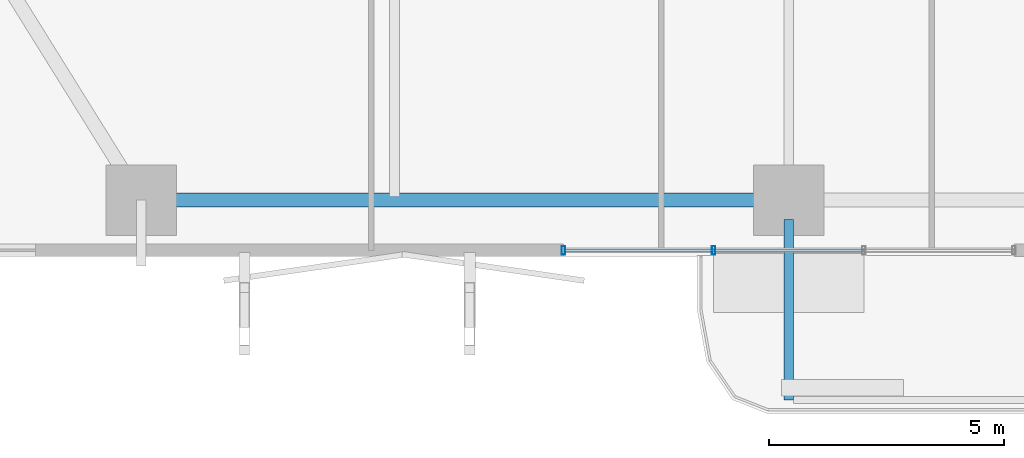
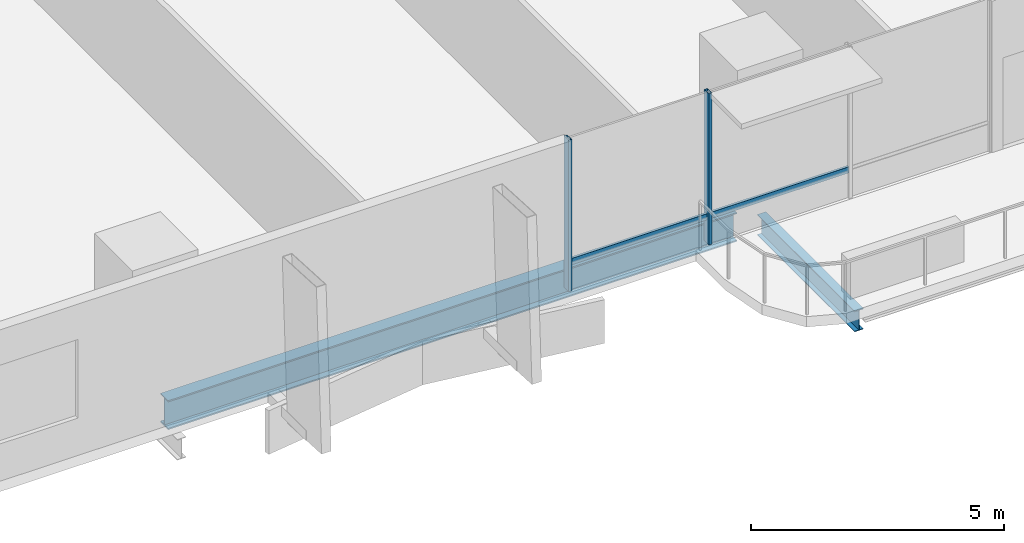
# One storey, part 2 of 24: 4 members, 2 beams, 1 element without a shape of its own.
"""IFC4 building model written with IfcOpenShell, lengths in metres."""

from ifc_helpers import new_model, si_unit, direction, frame, origin, origin_2d, place, context, subcontext, project, spatial, hollow_rectangle, i_section, extrude, material, layer, layer_set, material_profile, profile_set, type_object, element, aggregate, save


model = new_model("IFC4")

# Units and contexts
model_context = context("Model", 3, precision=1e-05, world=origin(), true_north=direction((0.0, 1.0)))
body_context = subcontext(model_context, "Body", "Model", "MODEL_VIEW")
ifc_project = project(units=[si_unit("LENGTHUNIT", "METRE"), si_unit("AREAUNIT", "SQUARE_METRE"), si_unit("VOLUMEUNIT", "CUBIC_METRE"), si_unit("PLANEANGLEUNIT", "RADIAN"), si_unit("MASSUNIT", "GRAM", prefix="KILO")], contexts=[model_context])

# Site, building, storey
site_placement = place(None, origin())
site = spatial("IfcSite", under=ifc_project, at=site_placement, CompositionType="ELEMENT")
building_placement = place(site_placement, origin())
building = spatial("IfcBuilding", under=site, at=building_placement, Name="Belovzor Exchange Tower", CompositionType="ELEMENT")
storey_placement = place(building_placement, frame((0.0, 0.0, 69.0)))
storey = spatial("IfcBuildingStorey", under=building, at=storey_placement, Name="L16", CompositionType="ELEMENT", Elevation=69.0)

# Beam
ifc_material_1 = material(Name="Steel S355", Category="steel")
ifc_material_profile_1 = material_profile(ifc_material_1, i_section(OverallWidth=0.199951171875, OverallDepth=0.5, WebThickness=0.01025390625, FlangeThickness=0.01611328125, at=origin_2d()))
ifc_profile_set_1 = profile_set([ifc_material_profile_1], Name="Steel S355")
beam_type_1 = type_object("IfcBeamType", Name="Planted Balcony Cantilever Beam IPE 500", PredefinedType="BEAM", material=ifc_profile_set_1)
beam_1_placement = place(storey_placement, frame((28.800048828125, 1.68798828125, -0.5), z_axis=(0.0, -1.0, 0.0), x_axis=(1.0, 0.0, 0.0)))
element("IfcBeam", 1, at=beam_1_placement, inside=storey, type_object=beam_type_1, Name="BC-500 Planted Balcony Cantilever Beam IPE 500", PredefinedType="BEAM", context=body_context, shape_type="SweptSolid", body=[
    extrude(i_section(OverallWidth=0.199951171875, OverallDepth=0.5, WebThickness=0.01025390625, FlangeThickness=0.01611328125, at=origin_2d()), origin(), (0.0, 0.0, 1.0), 3.85009765625),
])

# Curtain wall, members
ifc_material_2 = material(Name="Anodised Aluminium Framing", Category="aluminium")
ifc_layer = layer(ifc_material_2, 0.179931640625)
ifc_layer_set = layer_set([ifc_layer], Name="Anodised Aluminium Framing")
curtain_wall_type = type_object("IfcCurtainWallType", Name="Recessed Loggia Low-Iron Triple-Glazed Curtain Wall", PredefinedType="NOTDEFINED", material=ifc_layer_set)
curtain_wall_placement = place(storey_placement, origin())
curtain_wall = element("IfcCurtainWall", 2, at=curtain_wall_placement, inside=storey, type_object=curtain_wall_type, Name="CW3 Recessed Loggia Low-Iron Triple-Glazed Curtain Wall L16", PredefinedType="NOTDEFINED")
ifc_material_3 = material(Name="Steel S355", Category="steel")
ifc_material_profile_2 = material_profile(ifc_material_3, hollow_rectangle(XDim=0.074951171875, YDim=0.179931640625, WallThickness=0.0048828125, at=origin_2d()))
ifc_profile_set_2 = profile_set([ifc_material_profile_2], Name="Steel S355")
member_type_1 = type_object("IfcMemberType", Name="Thermally Broken Curtain Wall Mullion 180x75", PredefinedType="MULLION", material=ifc_profile_set_2)
member_1_placement = place(storey_placement, frame((27.199951171875, 1.030029296875, 0.0), z_axis=(0.0, 0.0, 1.0), x_axis=(-1.0, 0.0, 0.0)))
member_1 = element("IfcMember", 3, at=member_1_placement, type_object=member_type_1, Name="CW-M180 Curtain Wall Mullion 3", PredefinedType="MULLION", context=body_context, shape_type="SweptSolid", body=[
    extrude(hollow_rectangle(XDim=0.074951171875, YDim=0.179931640625, WallThickness=0.0048828125, at=origin_2d()), origin(), (0.0, 0.0, 1.0), 3.64990234375),
])
member_2_placement = place(storey_placement, frame((24.0, 1.030029296875, 0.0), z_axis=(0.0, 0.0, 1.0), x_axis=(-1.0, 0.0, 0.0)))
member_2 = element("IfcMember", 4, at=member_2_placement, type_object=member_type_1, Name="CW-M180 Curtain Wall Mullion 4", PredefinedType="MULLION", context=body_context, shape_type="SweptSolid", body=[
    extrude(hollow_rectangle(XDim=0.074951171875, YDim=0.179931640625, WallThickness=0.0048828125, at=origin_2d()), origin(), (0.0, 0.0, 1.0), 3.64990234375),
])
ifc_material_4 = material(Name="Steel S355", Category="steel")
ifc_material_profile_3 = material_profile(ifc_material_4, hollow_rectangle(XDim=0.06005859375, YDim=0.14990234375, WallThickness=0.00390625, at=origin_2d()))
ifc_profile_set_3 = profile_set([ifc_material_profile_3], Name="Steel S355")
member_type_2 = type_object("IfcMemberType", Name="Thermally Broken Curtain Wall Transom 150x60", PredefinedType="USERDEFINED", material=ifc_profile_set_3)
member_3_placement = place(storey_placement, frame((30.39208984375, 1.030029296875, 0.64990234375), z_axis=(-1.0, 0.0, 0.0), x_axis=(0.0, -1.0, 0.0)))
member_3 = element("IfcMember", 5, at=member_3_placement, type_object=member_type_2, Name="CW-T150 Curtain Wall Transom 2", ObjectType="TRANSOM", PredefinedType="USERDEFINED", context=body_context, shape_type="SweptSolid", body=[
    extrude(hollow_rectangle(XDim=0.06005859375, YDim=0.14990234375, WallThickness=0.00390625, at=origin_2d()), origin(), (0.0, 0.0, 1.0), 3.18408203125),
])
member_4_placement = place(storey_placement, frame((27.19189453125, 1.030029296875, 0.64990234375), z_axis=(-1.0, 0.0, 0.0), x_axis=(0.0, -1.0, 0.0)))
member_4 = element("IfcMember", 6, at=member_4_placement, type_object=member_type_2, Name="CW-T150 Curtain Wall Transom 3", ObjectType="TRANSOM", PredefinedType="USERDEFINED", context=body_context, shape_type="SweptSolid", body=[
    extrude(hollow_rectangle(XDim=0.06005859375, YDim=0.14990234375, WallThickness=0.00390625, at=origin_2d()), origin(), (0.0, 0.0, 1.0), 3.183837890625),
])
aggregate(curtain_wall, [member_1, member_2, member_3, member_4])

# Beam
ifc_material_5 = material(Name="Steel S355", Category="steel")
ifc_material_profile_4 = material_profile(ifc_material_5, i_section(OverallWidth=0.300048828125, OverallDepth=0.699951171875, WebThickness=0.01708984375, FlangeThickness=0.031982421875, at=origin_2d()))
ifc_profile_set_4 = profile_set([ifc_material_profile_4], Name="Steel S355")
beam_type_2 = type_object("IfcBeamType", Name="Zone 1 Primary Perimeter Girder HEB 700", PredefinedType="BEAM", material=ifc_profile_set_4)
beam_2_placement = place(storey_placement, frame((15.412109375, 2.10009765625, -0.60009765625), z_axis=(1.0, 0.0, 0.0), x_axis=(0.0, 1.0, 0.0)))
element("IfcBeam", 7, at=beam_2_placement, inside=storey, type_object=beam_type_2, Name="FG-Z1 Zone 1 Primary Perimeter Girder HEB 700", PredefinedType="BEAM", context=body_context, shape_type="SweptSolid", body=[
    extrude(i_section(OverallWidth=0.300048828125, OverallDepth=0.699951171875, WebThickness=0.01708984375, FlangeThickness=0.031982421875, at=origin_2d()), origin(), (0.0, 0.0, 1.0), 12.974853515625),
])

save(model, "model.ifc")
